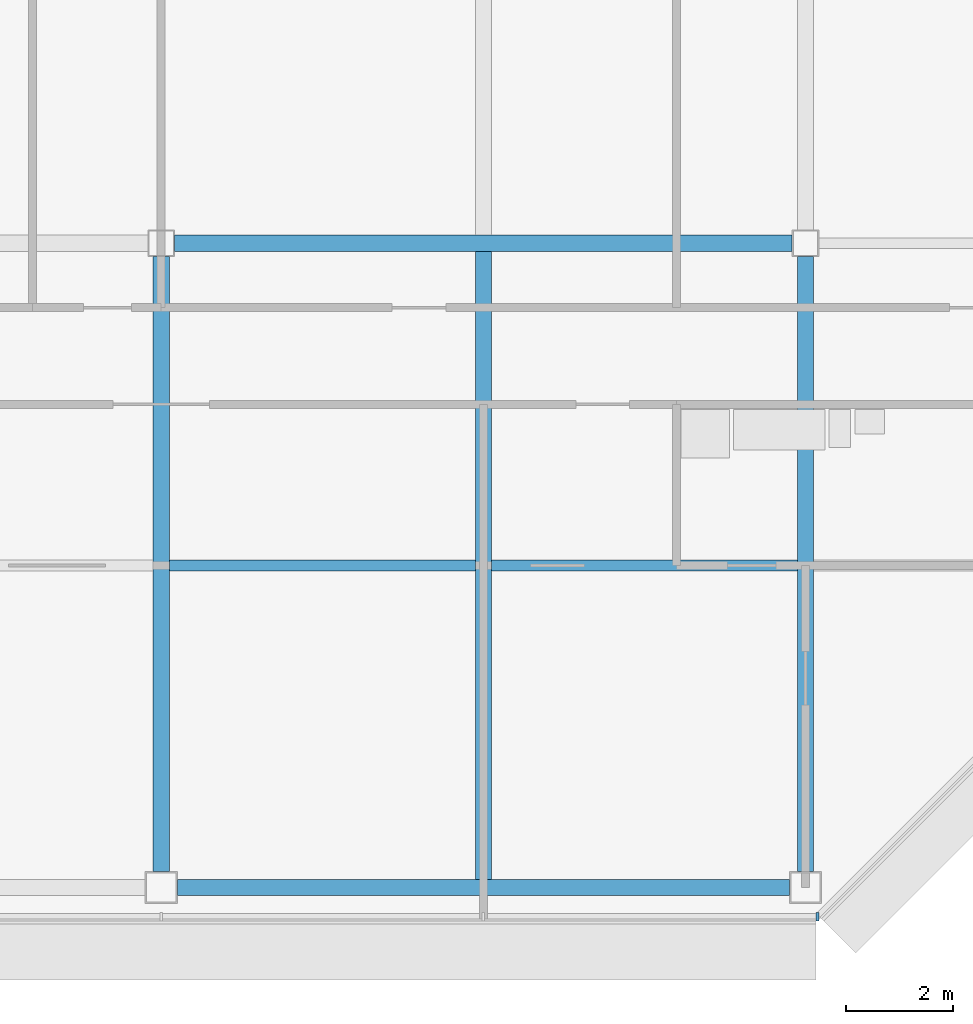
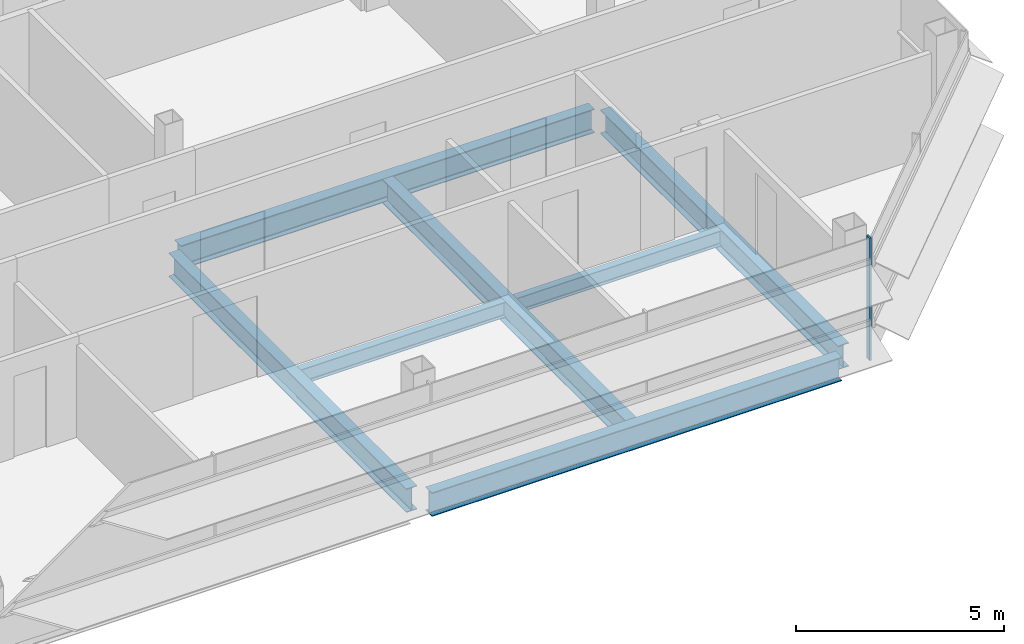
# One storey, part 10 of 28: 7 beams, 1 member, 1 element without a shape of its own.
"""IFC4 building model written with IfcOpenShell, lengths in metres."""

from ifc_helpers import new_model, si_unit, direction, frame, origin, origin_2d, place, context, subcontext, project, spatial, rectangle, i_section, extrude, material, material_profile, profile_set, type_object, element, aggregate, save


model = new_model("IFC4")

# Units and contexts
model_context = context("Model", 3, precision=1e-05, world=origin(), true_north=direction((0.0, 1.0)))
body_context = subcontext(model_context, "Body", "Model", "MODEL_VIEW")
ifc_project = project(units=[si_unit("LENGTHUNIT", "METRE"), si_unit("AREAUNIT", "SQUARE_METRE"), si_unit("VOLUMEUNIT", "CUBIC_METRE"), si_unit("PLANEANGLEUNIT", "RADIAN"), si_unit("MASSUNIT", "GRAM", prefix="KILO")], contexts=[model_context])

# Site, building, storey
site_placement = place(None, origin())
site = spatial("IfcSite", under=ifc_project, at=site_placement, CompositionType="ELEMENT")
building_placement = place(site_placement, origin())
building = spatial("IfcBuilding", under=site, at=building_placement, Name="Sorahane Residences", CompositionType="ELEMENT")
storey_placement = place(building_placement, frame((0.0, 0.0, 273.800048828125)))
storey = spatial("IfcBuildingStorey", under=building, at=storey_placement, Name="L65", CompositionType="ELEMENT", Elevation=273.800048828125)

# Curtain wall, member
ifc_material_1 = material(Name="Dark low-e glass and black anodised aluminium", Category="aluminium")
curtain_wall_type = type_object("IfcCurtainWallType", Name="Curtain wall CW-1 Typical unitised wall", PredefinedType="NOTDEFINED", material=ifc_material_1)
curtain_wall_placement = place(storey_placement, origin())
curtain_wall = element("IfcCurtainWall", 1, at=curtain_wall_placement, inside=storey, type_object=curtain_wall_type, Name="CW-1 curtain wall L65 S1", PredefinedType="NOTDEFINED")
ifc_material_2 = material(Name="Black anodised aluminium", Category="aluminium")
ifc_material_profile_1 = material_profile(ifc_material_2, rectangle(XDim=0.159912109375, YDim=0.050048828125, at=origin_2d()), Name="Curtain wall mullion CW-1 black anodised aluminium 50x160")
ifc_profile_set_1 = profile_set([ifc_material_profile_1], Name="Black anodised aluminium")
member_type = type_object("IfcMemberType", Name="Curtain wall mullion CW-1 black anodised aluminium 50x160", PredefinedType="MULLION", material=ifc_profile_set_1)
member_placement = place(storey_placement, frame((48.2236328125, -0.5400390625, -0.179931640625), z_axis=(0.0, 0.0, 1.0), x_axis=(0.0, -1.0, 0.0)))
member = element("IfcMember", 2, at=member_placement, type_object=member_type, Name="CW-1 mullion L65 S1.10", PredefinedType="MULLION", context=body_context, shape_type="SweptSolid", body=[
    extrude(rectangle(XDim=0.159912109375, YDim=0.050048828125, at=origin_2d()), origin(), (0.0, 0.0, 1.0), 3.599853515625),
])
aggregate(curtain_wall, [member])

# Beams
ifc_material_3 = material(Name="Steel Q355B", Category="steel")
ifc_material_profile_2 = material_profile(ifc_material_3, i_section(OverallWidth=0.199951171875, OverallDepth=0.449951171875, WebThickness=0.009033203125, FlangeThickness=0.013916015625, FilletRadius=0.02001953125, at=origin_2d()), Name="HN 450x200x9x14")
ifc_profile_set_2 = profile_set([ifc_material_profile_2], Name="Steel Q355B")
beam_type_1 = type_object("IfcBeamType", Name="Steel floor beam HN 450x200x9x14 Q355B", PredefinedType="BEAM", material=ifc_profile_set_2)
for number, where, z_axis, x_axis, name in (
    (3, (36.14990234375, 6.0, -0.405029296875), (1.0, 0.0, 0.0), (0.0, 1.0, 0.0), "Beam L65 075"),
    (4, (42.14990234375, 6.0, -0.405029296875), (1.0, 0.0, 0.0), (0.0, 1.0, 0.0), "Beam L65 076"),
):
    element("IfcBeam", number, at=place(storey_placement, frame(where, z_axis=z_axis, x_axis=x_axis)), inside=storey, type_object=beam_type_1, Name=name, PredefinedType="BEAM", context=body_context, shape_type="SweptSolid", body=[
        extrude(i_section(OverallWidth=0.199951171875, OverallDepth=0.449951171875, WebThickness=0.009033203125, FlangeThickness=0.013916015625, FilletRadius=0.02001953125, at=origin_2d()), origin(), (0.0, 0.0, 1.0), 5.7001953125),
    ])
ifc_material_4 = material(Name="Steel Q355B", Category="steel")
ifc_material_profile_3 = material_profile(ifc_material_4, i_section(OverallWidth=0.300048828125, OverallDepth=0.699951171875, WebThickness=0.012939453125, FlangeThickness=0.02392578125, FilletRadius=0.028076171875, at=origin_2d()), Name="HN 700x300x13x24")
ifc_profile_set_3 = profile_set([ifc_material_profile_3], Name="Steel Q355B")
beam_type_2 = type_object("IfcBeamType", Name="Steel floor beam HN 700x300x13x24 Q355B", PredefinedType="BEAM", material=ifc_profile_set_3)
beam_1_placement = place(storey_placement, frame((36.300048828125, 0.0, -0.530029296875), z_axis=(1.0, 0.0, 0.0), x_axis=(0.0, 1.0, 0.0)))
element("IfcBeam", 5, at=beam_1_placement, inside=storey, type_object=beam_type_2, Name="Beam L65 004", PredefinedType="BEAM", context=body_context, shape_type="SweptSolid", body=[
    extrude(i_section(OverallWidth=0.300048828125, OverallDepth=0.699951171875, WebThickness=0.012939453125, FlangeThickness=0.02392578125, FilletRadius=0.028076171875, at=origin_2d()), origin(), (0.0, 0.0, 1.0), 11.39990234375),
])
beam_2_placement = place(storey_placement, frame((36.25, 12.0, -0.530029296875), z_axis=(1.0, 0.0, 0.0), x_axis=(0.0, 1.0, 0.0)))
element("IfcBeam", 6, at=beam_2_placement, inside=storey, type_object=beam_type_2, Name="Beam L65 009", PredefinedType="BEAM", context=body_context, shape_type="SweptSolid", body=[
    extrude(i_section(OverallWidth=0.300048828125, OverallDepth=0.699951171875, WebThickness=0.012939453125, FlangeThickness=0.02392578125, FilletRadius=0.028076171875, at=origin_2d()), origin(), (0.0, 0.0, 1.0), 11.5),
])
beam_3_placement = place(storey_placement, frame((36.0, 0.300048828125, -0.530029296875), z_axis=(0.0, 1.0, 0.0), x_axis=(-1.0, 0.0, 0.0)))
element("IfcBeam", 7, at=beam_3_placement, inside=storey, type_object=beam_type_2, Name="Beam L65 050", PredefinedType="BEAM", context=body_context, shape_type="SweptSolid", body=[
    extrude(i_section(OverallWidth=0.300048828125, OverallDepth=0.699951171875, WebThickness=0.012939453125, FlangeThickness=0.02392578125, FilletRadius=0.028076171875, at=origin_2d()), origin(), (0.0, 0.0, 1.0), 11.449951171875),
])
beam_4_placement = place(storey_placement, frame((42.0, 0.14990234375, -0.530029296875), z_axis=(0.0, 1.0, 0.0), x_axis=(-1.0, 0.0, 0.0)))
element("IfcBeam", 8, at=beam_4_placement, inside=storey, type_object=beam_type_2, Name="Beam L65 052", PredefinedType="BEAM", context=body_context, shape_type="SweptSolid", body=[
    extrude(i_section(OverallWidth=0.300048828125, OverallDepth=0.699951171875, WebThickness=0.012939453125, FlangeThickness=0.02392578125, FilletRadius=0.028076171875, at=origin_2d()), origin(), (0.0, 0.0, 1.0), 11.7001953125),
])
beam_5_placement = place(storey_placement, frame((48.0, 0.300048828125, -0.530029296875), z_axis=(0.0, 1.0, 0.0), x_axis=(-1.0, 0.0, 0.0)))
element("IfcBeam", 9, at=beam_5_placement, inside=storey, type_object=beam_type_2, Name="Beam L65 058", PredefinedType="BEAM", context=body_context, shape_type="SweptSolid", body=[
    extrude(i_section(OverallWidth=0.300048828125, OverallDepth=0.699951171875, WebThickness=0.012939453125, FlangeThickness=0.02392578125, FilletRadius=0.028076171875, at=origin_2d()), origin(), (0.0, 0.0, 1.0), 11.449951171875),
])

save(model, "model.ifc")
